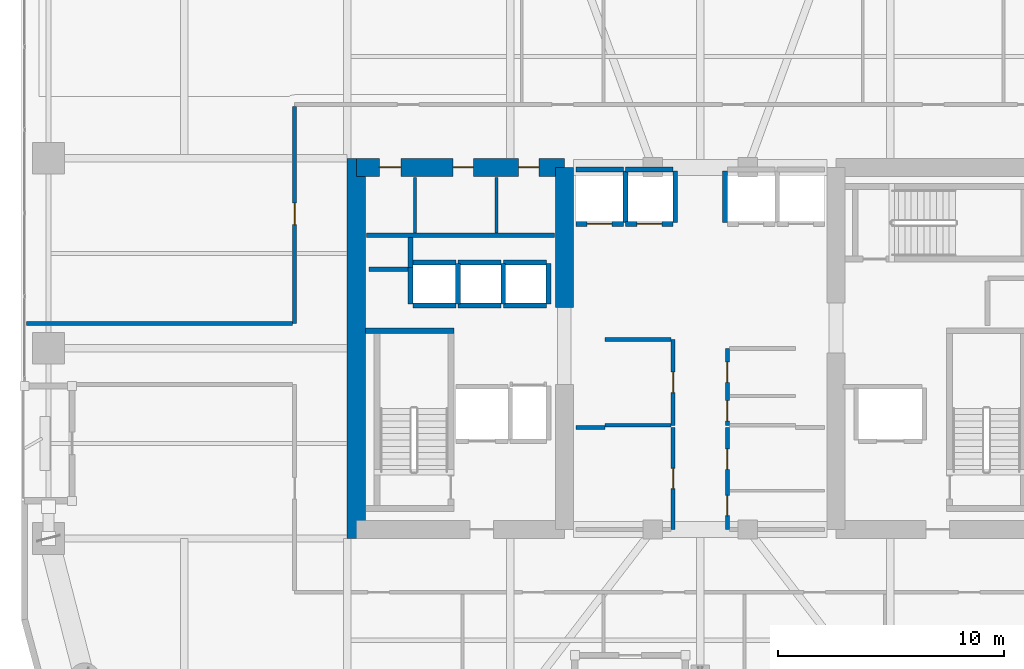
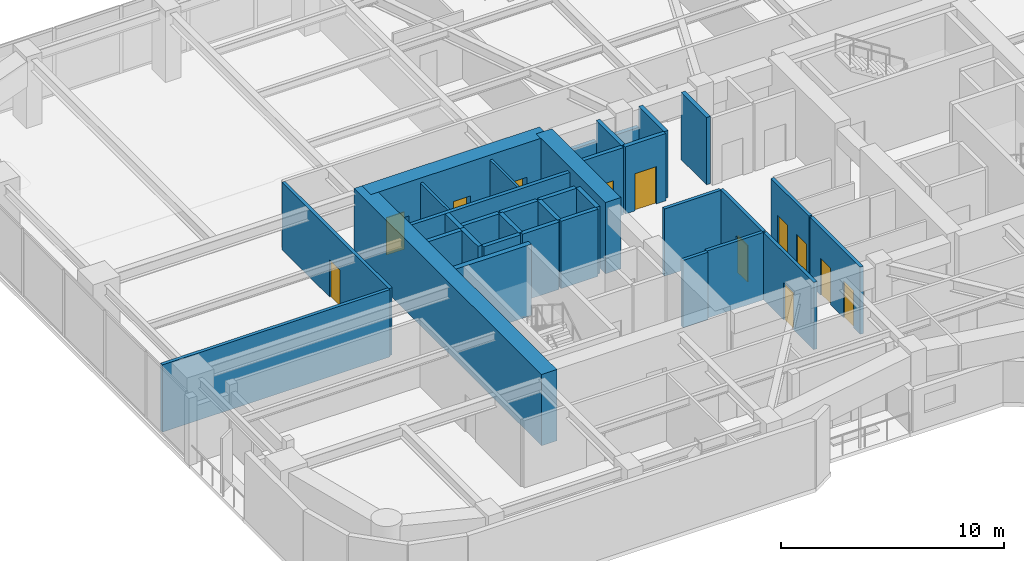
# One storey, part 25 of 30: 35 walls, 12 doors, 12 openings.
"""IFC4 building model written with IfcOpenShell, lengths in metres."""

from ifc_helpers import new_model, si_unit, direction, frame, frame_2d, origin, place, context, subcontext, project, spatial, rectangle, extrude, material, layer, layer_set, type_object, element, fill, save


model = new_model("IFC4")

# Units and contexts
model_context = context("Model", 3, precision=1e-05, world=origin(), true_north=direction((0.0, 1.0)))
body_context = subcontext(model_context, "Body", "Model", "MODEL_VIEW")
ifc_project = project(units=[si_unit("LENGTHUNIT", "METRE"), si_unit("AREAUNIT", "SQUARE_METRE"), si_unit("VOLUMEUNIT", "CUBIC_METRE"), si_unit("PLANEANGLEUNIT", "RADIAN"), si_unit("MASSUNIT", "GRAM", prefix="KILO")], contexts=[model_context])

# Site, building, storey
site_placement = place(None, origin())
site = spatial("IfcSite", under=ifc_project, at=site_placement, CompositionType="ELEMENT")
building_placement = place(site_placement, origin())
building = spatial("IfcBuilding", under=site, at=building_placement, Name="Kiyonajd Concourse Tower", CompositionType="ELEMENT")
storey_placement = place(building_placement, frame((0.0, 0.0, 154.5)))
storey = spatial("IfcBuildingStorey", under=building, at=storey_placement, Name="L39", CompositionType="ELEMENT", Elevation=154.5)

# Walls
ifc_material_1 = material(Name="Concrete C70/85", Category="concrete")
ifc_layer_1 = layer(ifc_material_1, 0.800048828125)
ifc_layer_set_1 = layer_set([ifc_layer_1], Name="Concrete C70/85")
wall_type_1 = type_object("IfcWallType", Name="WL-CORE-800", PredefinedType="SHEAR", material=ifc_layer_set_1)
wall_1_placement = place(storey_placement, frame((32.800048828125, 27.60009765625, 0.0), z_axis=(0.0, 0.0, 1.0), x_axis=(0.0, 1.0, 0.0)))
element("IfcWall", 1, at=wall_1_placement, inside=storey, type_object=wall_type_1, Name="L39 West Core Outer Shear Wall", PredefinedType="SHEAR", context=body_context, shape_type="SweptSolid", body=[
    extrude(rectangle(XDim=16.7998046875, YDim=0.800048828125, at=frame_2d((8.39990234375, 0.0))), origin(), (0.0, 0.0, 1.0), 3.89990234375),
])
wall_2_placement = place(storey_placement, frame((42.0, 37.800048828125, 0.0), z_axis=(0.0, 0.0, 1.0), x_axis=(0.0, 1.0, 0.0)))
element("IfcWall", 2, at=wall_2_placement, inside=storey, type_object=wall_type_1, Name="L39 West Core Inner North Shear Wall", PredefinedType="SHEAR", context=body_context, shape_type="SweptSolid", body=[
    extrude(rectangle(XDim=6.199951171875, YDim=0.800048828125, at=frame_2d((3.10009765625, 0.0))), origin(), (0.0, 0.0, 1.0), 3.89990234375),
])

# Wall, openings, doors
wall_3_placement = place(storey_placement, frame((32.800048828125, 44.0, 0.0), z_axis=(0.0, 0.0, 1.0), x_axis=(1.0, 0.0, 0.0)))
wall_3 = element("IfcWall", 3, at=wall_3_placement, inside=storey, type_object=wall_type_1, Name="L39 West Core North Shear Wall", PredefinedType="SHEAR", context=body_context, shape_type="SweptSolid", body=[
    extrude(rectangle(XDim=9.199951171875, YDim=0.800048828125, at=frame_2d((4.60009765625, 0.0))), origin(), (0.0, 0.0, 1.0), 3.89990234375),
])
opening_1_placement = place(wall_3_placement, frame((1.02490234375, 0.0, 0.0)))
opening_1 = element("IfcOpeningElement", 4, at=opening_1_placement, cuts=wall_3, Name="Opening DI1", PredefinedType="OPENING", context=body_context, shape_type="SweptSolid", body=[
    extrude(rectangle(XDim=0.949951171875, YDim=2.0400390625, at=frame_2d((0.47509765625, 1.02001953125))), frame((0.0, 0.409912109375, 0.0), z_axis=(0.0, -1.0, 0.0), x_axis=(1.0, 0.0, 0.0)), (0.0, 0.0, 1.0), 0.820068359375),
])
opening_2_placement = place(wall_3_placement, frame((4.27490234375, 0.0, 0.0)))
opening_2 = element("IfcOpeningElement", 5, at=opening_2_placement, cuts=wall_3, Name="Opening DI2", PredefinedType="OPENING", context=body_context, shape_type="SweptSolid", body=[
    extrude(rectangle(XDim=0.89990234375, YDim=2.02001953125, at=frame_2d((0.449951171875, 1.010009765625))), frame((0.0, 0.409912109375, 0.0), z_axis=(0.0, -1.0, 0.0), x_axis=(1.0, 0.0, 0.0)), (0.0, 0.0, 1.0), 0.820068359375),
])
opening_3_placement = place(wall_3_placement, frame((7.175048828125, 0.0, 0.0)))
opening_3 = element("IfcOpeningElement", 6, at=opening_3_placement, cuts=wall_3, Name="Opening DI2", PredefinedType="OPENING", context=body_context, shape_type="SweptSolid", body=[
    extrude(rectangle(XDim=0.89990234375, YDim=2.02001953125, at=frame_2d((0.449951171875, 1.010009765625))), frame((0.0, 0.409912109375, 0.0), z_axis=(0.0, -1.0, 0.0), x_axis=(1.0, 0.0, 0.0)), (0.0, 0.0, 1.0), 0.820068359375),
])
ifc_material_2 = material(Name="Natural Oak Acoustic Timber Veneer", Category="wood")
door_type_1 = type_object("IfcDoorType", Name="DR-INT-900", OperationType="NOTDEFINED", PredefinedType="DOOR", material=ifc_material_2)
door_1_placement = place(opening_2_placement, origin())
door_1 = element("IfcDoor", 7, at=door_1_placement, inside=storey, type_object=door_type_1, Name="L39 Male Restroom Door", OperationType="SINGLE_SWING_RIGHT", OverallHeight=2.02001953125, OverallWidth=0.89990234375, PredefinedType="DOOR", context=body_context, shape_type="SweptSolid", body=[
    extrude(rectangle(XDim=0.89990234375, YDim=2.02001953125, at=frame_2d((0.449951171875, 1.010009765625))), frame((0.0, 0.02490234375, 0.0), z_axis=(0.0, -1.0, 0.0), x_axis=(1.0, 0.0, 0.0)), (0.0, 0.0, 1.0), 0.050048828125),
])
fill(opening_2, door_1)
door_2_placement = place(opening_3_placement, origin())
door_2 = element("IfcDoor", 8, at=door_2_placement, inside=storey, type_object=door_type_1, Name="L39 Female Restroom Door", OperationType="SINGLE_SWING_LEFT", OverallHeight=2.02001953125, OverallWidth=0.89990234375, PredefinedType="DOOR", context=body_context, shape_type="SweptSolid", body=[
    extrude(rectangle(XDim=0.89990234375, YDim=2.02001953125, at=frame_2d((0.449951171875, 1.010009765625))), frame((0.0, 0.02490234375, 0.0), z_axis=(0.0, -1.0, 0.0), x_axis=(1.0, 0.0, 0.0)), (0.0, 0.0, 1.0), 0.050048828125),
])
fill(opening_3, door_2)
door_type_2 = type_object("IfcDoorType", Name="DR-INT-950", OperationType="NOTDEFINED", PredefinedType="DOOR", material=ifc_material_2)
door_3_placement = place(opening_1_placement, origin())
door_3 = element("IfcDoor", 9, at=door_3_placement, inside=storey, type_object=door_type_2, Name="L39 Single User Accessible WC Door", OperationType="SINGLE_SWING_LEFT", OverallHeight=2.0400390625, OverallWidth=0.949951171875, PredefinedType="DOOR", context=body_context, shape_type="SweptSolid", body=[
    extrude(rectangle(XDim=0.949951171875, YDim=2.0400390625, at=frame_2d((0.47509765625, 1.02001953125))), frame((0.0, 0.02490234375, 0.0), z_axis=(0.0, -1.0, 0.0), x_axis=(1.0, 0.0, 0.0)), (0.0, 0.0, 1.0), 0.050048828125),
])
fill(opening_1, door_3)

# Walls
ifc_material_3 = material(Name="Gypsum Board on Cold-Formed Steel Stud", Category="steel")
ifc_layer_2 = layer(ifc_material_3, 0.125)
ifc_layer_set_2 = layer_set([ifc_layer_2], Name="Gypsum Board on Cold-Formed Steel Stud")
wall_type_2 = type_object("IfcWallType", Name="WL-PART-125", PredefinedType="PARTITIONING", material=ifc_layer_set_2)
for number, where, z_axis, x_axis, name in (
    (10, (35.39990234375, 41.094970703125, 0.0), (0.0, 0.0, 1.0), (0.0, 1.0, 0.0), "L39 Interior Partition Wall"),
    (11, (39.0, 41.094970703125, 0.0), (0.0, 0.0, 1.0), (0.0, 1.0, 0.0), "L39 Interior Partition Wall"),
):
    element("IfcWall", number, at=place(storey_placement, frame(where, z_axis=z_axis, x_axis=x_axis)), inside=storey, type_object=wall_type_2, Name=name, PredefinedType="PARTITIONING", context=body_context, shape_type="SweptSolid", body=[
        extrude(rectangle(XDim=2.455078125, YDim=0.125, at=frame_2d((1.2275390625, 0.0))), origin(), (0.0, 0.0, 1.0), 3.679931640625),
    ])
ifc_layer_3 = layer(ifc_material_3, 0.18994140625)
ifc_layer_set_3 = layer_set([ifc_layer_3], Name="Gypsum Board on Cold-Formed Steel Stud")
wall_type_3 = type_object("IfcWallType", Name="WL-PLMB-190", PredefinedType="PLUMBINGWALL", material=ifc_layer_set_3)
wall_4_placement = place(storey_placement, frame((33.25, 41.0, 0.0), z_axis=(0.0, 0.0, 1.0), x_axis=(1.0, 0.0, 0.0)))
element("IfcWall", 12, at=wall_4_placement, inside=storey, type_object=wall_type_3, Name="L39 Interior Partition Wall", PredefinedType="PLUMBINGWALL", context=body_context, shape_type="SweptSolid", body=[
    extrude(rectangle(XDim=8.300048828125, YDim=0.18994140625, at=frame_2d((4.14990234375, 0.0))), origin(), (0.0, 0.0, 1.0), 3.679931640625),
])
ifc_layer_4 = layer(ifc_material_3, 0.2099609375)
ifc_layer_set_4 = layer_set([ifc_layer_4], Name="Gypsum Board on Cold-Formed Steel Stud")
wall_type_4 = type_object("IfcWallType", Name="WL-SHAFT-210", PredefinedType="PARTITIONING", material=ifc_layer_set_4)
wall_5_placement = place(storey_placement, frame((33.360107421875, 39.5, 0.0), z_axis=(0.0, 0.0, 1.0), x_axis=(1.0, 0.0, 0.0)))
element("IfcWall", 13, at=wall_5_placement, inside=storey, type_object=wall_type_4, Name="L39 Shaft Enclosure Wall", PredefinedType="PARTITIONING", context=body_context, shape_type="SweptSolid", body=[
    extrude(rectangle(XDim=1.85986328125, YDim=0.2099609375, at=frame_2d((0.929931640625, 0.0))), origin(), (0.0, 0.0, 1.0), 3.679931640625),
])
wall_6_placement = place(storey_placement, frame((35.199951171875, 39.580078125, 0.0), z_axis=(0.0, 0.0, 1.0), x_axis=(0.0, 1.0, 0.0)))
element("IfcWall", 14, at=wall_6_placement, inside=storey, type_object=wall_type_4, Name="L39 Shaft Enclosure Wall", PredefinedType="PARTITIONING", context=body_context, shape_type="SweptSolid", body=[
    extrude(rectangle(XDim=1.31982421875, YDim=0.2099609375, at=frame_2d((0.659912109375, 0.0))), origin(), (0.0, 0.0, 1.0), 3.679931640625),
])

# Wall, opening, door
wall_7_placement = place(storey_placement, frame((42.5, 41.5, 0.0), z_axis=(0.0, 0.0, 1.0), x_axis=(1.0, 0.0, 0.0)))
wall_7 = element("IfcWall", 15, at=wall_7_placement, inside=storey, type_object=wall_type_4, Name="L39 Shaft Enclosure Wall", PredefinedType="PARTITIONING", context=body_context, shape_type="SweptSolid", body=[
    extrude(rectangle(XDim=2.10009765625, YDim=0.2099609375, at=frame_2d((1.050048828125, 0.0))), origin(), (0.0, 0.0, 1.0), 3.679931640625),
])
opening_4_placement = place(wall_7_placement, frame((0.5, 0.0, 0.0)))
opening_4 = element("IfcOpeningElement", 16, at=opening_4_placement, cuts=wall_7, Name="Opening LD1", PredefinedType="OPENING", context=body_context, shape_type="SweptSolid", body=[
    extrude(rectangle(XDim=1.10009765625, YDim=2.0400390625, at=frame_2d((0.550048828125, 1.02001953125))), frame((0.0, 0.114990234375, 0.0), z_axis=(0.0, -1.0, 0.0), x_axis=(1.0, 0.0, 0.0)), (0.0, 0.0, 1.0), 0.22998046875),
])
ifc_material_4 = material(Name="Brushed Stainless Steel Cab Assembly", Category="steel")
door_type_3 = type_object("IfcDoorType", Name="DR-LD-1100", OperationType="DOUBLE_DOOR_SLIDING", PredefinedType="DOOR", material=ifc_material_4)
door_4_placement = place(opening_4_placement, origin())
door_4 = element("IfcDoor", 17, at=door_4_placement, inside=storey, type_object=door_type_3, Name="L39 Lift PL-M1 Sliding Landing Door", OperationType="DOUBLE_DOOR_SLIDING", OverallHeight=2.0400390625, OverallWidth=1.10009765625, PredefinedType="DOOR", context=body_context, shape_type="SweptSolid", body=[
    extrude(rectangle(XDim=1.10009765625, YDim=2.0400390625, at=frame_2d((0.550048828125, 1.02001953125))), frame((0.0, 0.02490234375, 0.0), z_axis=(0.0, -1.0, 0.0), x_axis=(1.0, 0.0, 0.0)), (0.0, 0.0, 1.0), 0.050048828125),
])
fill(opening_4, door_4)

# Walls
wall_8_placement = place(storey_placement, frame((42.5, 43.89990234375, 0.0), z_axis=(0.0, 0.0, 1.0), x_axis=(1.0, 0.0, 0.0)))
element("IfcWall", 18, at=wall_8_placement, inside=storey, type_object=wall_type_4, Name="L39 Shaft Enclosure Wall", PredefinedType="PARTITIONING", context=body_context, shape_type="SweptSolid", body=[
    extrude(rectangle(XDim=2.10009765625, YDim=0.2099609375, at=frame_2d((1.050048828125, 0.0))), origin(), (0.0, 0.0, 1.0), 2.56494140625),
])
wall_9_placement = place(storey_placement, frame((44.699951171875, 41.56005859375, 0.0), z_axis=(0.0, 0.0, 1.0), x_axis=(0.0, 1.0, 0.0)))
element("IfcWall", 19, at=wall_9_placement, inside=storey, type_object=wall_type_4, Name="L39 Shaft Enclosure Wall", PredefinedType="PARTITIONING", context=body_context, shape_type="SweptSolid", body=[
    extrude(rectangle(XDim=2.280029296875, YDim=0.2099609375, at=frame_2d((1.14013671875, 0.0))), origin(), (0.0, 0.0, 1.0), 3.679931640625),
])

# Wall, opening, door
wall_10_placement = place(storey_placement, frame((44.699951171875, 41.5, 0.0), z_axis=(0.0, 0.0, 1.0), x_axis=(1.0, 0.0, 0.0)))
wall_10 = element("IfcWall", 20, at=wall_10_placement, inside=storey, type_object=wall_type_4, Name="L39 Shaft Enclosure Wall", PredefinedType="PARTITIONING", context=body_context, shape_type="SweptSolid", body=[
    extrude(rectangle(XDim=2.10009765625, YDim=0.2099609375, at=frame_2d((1.050048828125, 0.0))), origin(), (0.0, 0.0, 1.0), 3.679931640625),
])
opening_5_placement = place(wall_10_placement, frame((0.5, 0.0, 0.0)))
opening_5 = element("IfcOpeningElement", 21, at=opening_5_placement, cuts=wall_10, Name="Opening LD1", PredefinedType="OPENING", context=body_context, shape_type="SweptSolid", body=[
    extrude(rectangle(XDim=1.10009765625, YDim=2.0400390625, at=frame_2d((0.550048828125, 1.02001953125))), frame((0.0, 0.114990234375, 0.0), z_axis=(0.0, -1.0, 0.0), x_axis=(1.0, 0.0, 0.0)), (0.0, 0.0, 1.0), 0.22998046875),
])
door_5_placement = place(opening_5_placement, origin())
door_5 = element("IfcDoor", 22, at=door_5_placement, inside=storey, type_object=door_type_3, Name="L39 Lift PL-M2 Sliding Landing Door", OperationType="DOUBLE_DOOR_SLIDING", OverallHeight=2.0400390625, OverallWidth=1.10009765625, PredefinedType="DOOR", context=body_context, shape_type="SweptSolid", body=[
    extrude(rectangle(XDim=1.10009765625, YDim=2.0400390625, at=frame_2d((0.550048828125, 1.02001953125))), frame((0.0, 0.02490234375, 0.0), z_axis=(0.0, -1.0, 0.0), x_axis=(1.0, 0.0, 0.0)), (0.0, 0.0, 1.0), 0.050048828125),
])
fill(opening_5, door_5)

# Walls
wall_11_placement = place(storey_placement, frame((44.699951171875, 43.89990234375, 0.0), z_axis=(0.0, 0.0, 1.0), x_axis=(1.0, 0.0, 0.0)))
element("IfcWall", 23, at=wall_11_placement, inside=storey, type_object=wall_type_4, Name="L39 Shaft Enclosure Wall", PredefinedType="PARTITIONING", context=body_context, shape_type="SweptSolid", body=[
    extrude(rectangle(XDim=2.10009765625, YDim=0.2099609375, at=frame_2d((1.050048828125, 0.0))), origin(), (0.0, 0.0, 1.0), 2.56494140625),
])
for number, where, z_axis, x_axis, name in (
    (24, (46.89990234375, 41.56005859375, 0.0), (0.0, 0.0, 1.0), (0.0, 1.0, 0.0), "L39 Shaft Enclosure Wall"),
    (25, (49.10009765625, 41.56005859375, 0.0), (0.0, 0.0, 1.0), (0.0, 1.0, 0.0), "L39 Shaft Enclosure Wall"),
):
    element("IfcWall", number, at=place(storey_placement, frame(where, z_axis=z_axis, x_axis=x_axis)), inside=storey, type_object=wall_type_4, Name=name, PredefinedType="PARTITIONING", context=body_context, shape_type="SweptSolid", body=[
        extrude(rectangle(XDim=2.280029296875, YDim=0.2099609375, at=frame_2d((1.14013671875, 0.0))), origin(), (0.0, 0.0, 1.0), 3.679931640625),
    ])
for number, where, z_axis, x_axis, name in (
    (26, (35.300048828125, 37.89990234375, 0.0), (0.0, 0.0, 1.0), (1.0, 0.0, 0.0), "L39 Shaft Enclosure Wall"),
    (27, (35.300048828125, 39.800048828125, 0.0), (0.0, 0.0, 1.0), (1.0, 0.0, 0.0), "L39 Shaft Enclosure Wall"),
):
    element("IfcWall", number, at=place(storey_placement, frame(where, z_axis=z_axis, x_axis=x_axis)), inside=storey, type_object=wall_type_4, Name=name, PredefinedType="PARTITIONING", context=body_context, shape_type="SweptSolid", body=[
        extrude(rectangle(XDim=1.89990234375, YDim=0.2099609375, at=frame_2d((0.949951171875, 0.0))), origin(), (0.0, 0.0, 1.0), 3.679931640625),
    ])
wall_12_placement = place(storey_placement, frame((35.199951171875, 37.9599609375, 0.0), z_axis=(0.0, 0.0, 1.0), x_axis=(0.0, 1.0, 0.0)))
element("IfcWall", 28, at=wall_12_placement, inside=storey, type_object=wall_type_4, Name="L39 Shaft Enclosure Wall", PredefinedType="PARTITIONING", context=body_context, shape_type="SweptSolid", body=[
    extrude(rectangle(XDim=1.6201171875, YDim=0.2099609375, at=frame_2d((0.81005859375, 0.0))), origin(), (0.0, 0.0, 1.0), 3.679931640625),
])
wall_13_placement = place(storey_placement, frame((37.300048828125, 37.9599609375, 0.0), z_axis=(0.0, 0.0, 1.0), x_axis=(0.0, 1.0, 0.0)))
element("IfcWall", 29, at=wall_13_placement, inside=storey, type_object=wall_type_4, Name="L39 Shaft Enclosure Wall", PredefinedType="PARTITIONING", context=body_context, shape_type="SweptSolid", body=[
    extrude(rectangle(XDim=1.780029296875, YDim=0.2099609375, at=frame_2d((0.89013671875, 0.0))), origin(), (0.0, 0.0, 1.0), 3.679931640625),
])
for number, where, z_axis, x_axis, name in (
    (30, (37.300048828125, 37.89990234375, 0.0), (0.0, 0.0, 1.0), (1.0, 0.0, 0.0), "L39 Shaft Enclosure Wall"),
    (31, (37.300048828125, 39.800048828125, 0.0), (0.0, 0.0, 1.0), (1.0, 0.0, 0.0), "L39 Shaft Enclosure Wall"),
):
    element("IfcWall", number, at=place(storey_placement, frame(where, z_axis=z_axis, x_axis=x_axis)), inside=storey, type_object=wall_type_4, Name=name, PredefinedType="PARTITIONING", context=body_context, shape_type="SweptSolid", body=[
        extrude(rectangle(XDim=1.89990234375, YDim=0.2099609375, at=frame_2d((0.949951171875, 0.0))), origin(), (0.0, 0.0, 1.0), 3.679931640625),
    ])
wall_14_placement = place(storey_placement, frame((39.300048828125, 37.9599609375, 0.0), z_axis=(0.0, 0.0, 1.0), x_axis=(0.0, 1.0, 0.0)))
element("IfcWall", 32, at=wall_14_placement, inside=storey, type_object=wall_type_4, Name="L39 Shaft Enclosure Wall", PredefinedType="PARTITIONING", context=body_context, shape_type="SweptSolid", body=[
    extrude(rectangle(XDim=1.780029296875, YDim=0.2099609375, at=frame_2d((0.89013671875, 0.0))), origin(), (0.0, 0.0, 1.0), 3.679931640625),
])
for number, where, z_axis, x_axis, name in (
    (33, (39.300048828125, 37.89990234375, 0.0), (0.0, 0.0, 1.0), (1.0, 0.0, 0.0), "L39 Shaft Enclosure Wall"),
    (34, (39.300048828125, 39.800048828125, 0.0), (0.0, 0.0, 1.0), (1.0, 0.0, 0.0), "L39 Shaft Enclosure Wall"),
):
    element("IfcWall", number, at=place(storey_placement, frame(where, z_axis=z_axis, x_axis=x_axis)), inside=storey, type_object=wall_type_4, Name=name, PredefinedType="PARTITIONING", context=body_context, shape_type="SweptSolid", body=[
        extrude(rectangle(XDim=1.89990234375, YDim=0.2099609375, at=frame_2d((0.949951171875, 0.0))), origin(), (0.0, 0.0, 1.0), 3.679931640625),
    ])
wall_15_placement = place(storey_placement, frame((41.300048828125, 37.9599609375, 0.0), z_axis=(0.0, 0.0, 1.0), x_axis=(0.0, 1.0, 0.0)))
element("IfcWall", 35, at=wall_15_placement, inside=storey, type_object=wall_type_4, Name="L39 Shaft Enclosure Wall", PredefinedType="PARTITIONING", context=body_context, shape_type="SweptSolid", body=[
    extrude(rectangle(XDim=1.780029296875, YDim=0.2099609375, at=frame_2d((0.89013671875, 0.0))), origin(), (0.0, 0.0, 1.0), 3.679931640625),
])

# Wall, opening, door
ifc_layer_5 = layer(ifc_material_3, 0.169921875)
ifc_layer_set_5 = layer_set([ifc_layer_5], Name="Gypsum Board on Cold-Formed Steel Stud")
wall_type_5 = type_object("IfcWallType", Name="WL-SMK-170", PredefinedType="PARTITIONING", material=ifc_layer_set_5)
wall_16_placement = place(storey_placement, frame((46.800048828125, 32.60009765625, 0.0), z_axis=(0.0, 0.0, 1.0), x_axis=(0.0, 1.0, 0.0)))
wall_16 = element("IfcWall", 36, at=wall_16_placement, inside=storey, type_object=wall_type_5, Name="L39 Interior Partition Wall", PredefinedType="PARTITIONING", context=body_context, shape_type="SweptSolid", body=[
    extrude(rectangle(XDim=3.7998046875, YDim=0.169921875, at=frame_2d((1.89990234375, 0.0))), origin(), (0.0, 0.0, 1.0), 3.679931640625),
])
opening_6_placement = place(wall_16_placement, frame((1.449951171875, 0.0, 0.0)))
opening_6 = element("IfcOpeningElement", 37, at=opening_6_placement, cuts=wall_16, Name="Opening DI2", PredefinedType="OPENING", context=body_context, shape_type="SweptSolid", body=[
    extrude(rectangle(XDim=0.89990234375, YDim=2.02001953125, at=frame_2d((0.449951171875, 1.010009765625))), frame((0.0, 0.094970703125, 0.0), z_axis=(0.0, -1.0, 0.0), x_axis=(1.0, 0.0, 0.0)), (0.0, 0.0, 1.0), 0.18994140625),
])
door_6_placement = place(opening_6_placement, origin())
door_6 = element("IfcDoor", 38, at=door_6_placement, inside=storey, type_object=door_type_1, Name="L39 Interior Door", OperationType="SINGLE_SWING_LEFT", OverallHeight=2.02001953125, OverallWidth=0.89990234375, PredefinedType="DOOR", context=body_context, shape_type="SweptSolid", body=[
    extrude(rectangle(XDim=0.89990234375, YDim=2.02001953125, at=frame_2d((0.449951171875, 1.010009765625))), frame((0.0, 0.02490234375, 0.0), z_axis=(0.0, -1.0, 0.0), x_axis=(1.0, 0.0, 0.0)), (0.0, 0.0, 1.0), 0.050048828125),
])
fill(opening_6, door_6)

# Walls
for number, where, z_axis, x_axis, name in (
    (39, (43.800048828125, 32.60009765625, 0.0), (0.0, 0.0, 1.0), (1.0, 0.0, 0.0), "L39 Interior Partition Wall"),
    (40, (43.800048828125, 36.39990234375, 0.0), (0.0, 0.0, 1.0), (1.0, 0.0, 0.0), "L39 Interior Partition Wall"),
):
    element("IfcWall", number, at=place(storey_placement, frame(where, z_axis=z_axis, x_axis=x_axis)), inside=storey, type_object=wall_type_5, Name=name, PredefinedType="PARTITIONING", context=body_context, shape_type="SweptSolid", body=[
        extrude(rectangle(XDim=2.912841796875, YDim=0.169921875, at=frame_2d((1.45654296875, 0.0))), origin(), (0.0, 0.0, 1.0), 3.679931640625),
    ])

# Wall, openings, doors
wall_17_placement = place(storey_placement, frame((49.199951171875, 32.60009765625, 0.0), z_axis=(0.0, 0.0, 1.0), x_axis=(0.0, 1.0, 0.0)))
wall_17 = element("IfcWall", 41, at=wall_17_placement, inside=storey, type_object=wall_type_5, Name="L39 Interior Partition Wall", PredefinedType="PARTITIONING", context=body_context, shape_type="SweptSolid", body=[
    extrude(rectangle(XDim=3.39990234375, YDim=0.169921875, at=frame_2d((1.699951171875, 0.0))), origin(), (0.0, 0.0, 1.0), 3.679931640625),
])
opening_7_placement = place(wall_17_placement, frame((0.196044921875, 0.0, 0.0)))
opening_7 = element("IfcOpeningElement", 42, at=opening_7_placement, cuts=wall_17, Name="Opening DI2", PredefinedType="OPENING", context=body_context, shape_type="SweptSolid", body=[
    extrude(rectangle(XDim=0.89990234375, YDim=2.02001953125, at=frame_2d((0.449951171875, 1.010009765625))), frame((0.0, 0.094970703125, 0.0), z_axis=(0.0, -1.0, 0.0), x_axis=(1.0, 0.0, 0.0)), (0.0, 0.0, 1.0), 0.18994140625),
])
opening_8_placement = place(wall_17_placement, frame((1.89599609375, 0.0, 0.0)))
opening_8 = element("IfcOpeningElement", 43, at=opening_8_placement, cuts=wall_17, Name="Opening DI2", PredefinedType="OPENING", context=body_context, shape_type="SweptSolid", body=[
    extrude(rectangle(XDim=0.89990234375, YDim=2.02001953125, at=frame_2d((0.449951171875, 1.010009765625))), frame((0.0, 0.094970703125, 0.0), z_axis=(0.0, -1.0, 0.0), x_axis=(1.0, 0.0, 0.0)), (0.0, 0.0, 1.0), 0.18994140625),
])
door_7_placement = place(opening_7_placement, origin())
door_7 = element("IfcDoor", 44, at=door_7_placement, inside=storey, type_object=door_type_1, Name="L39 Interior Door", OperationType="SINGLE_SWING_RIGHT", OverallHeight=2.02001953125, OverallWidth=0.89990234375, PredefinedType="DOOR", context=body_context, shape_type="SweptSolid", body=[
    extrude(rectangle(XDim=0.89990234375, YDim=2.02001953125, at=frame_2d((0.449951171875, 1.010009765625))), frame((0.0, 0.02490234375, 0.0), z_axis=(0.0, -1.0, 0.0), x_axis=(1.0, 0.0, 0.0)), (0.0, 0.0, 1.0), 0.050048828125),
])
fill(opening_7, door_7)
door_8_placement = place(opening_8_placement, origin())
door_8 = element("IfcDoor", 45, at=door_8_placement, inside=storey, type_object=door_type_1, Name="L39 Interior Door", OperationType="SINGLE_SWING_LEFT", OverallHeight=2.02001953125, OverallWidth=0.89990234375, PredefinedType="DOOR", context=body_context, shape_type="SweptSolid", body=[
    extrude(rectangle(XDim=0.89990234375, YDim=2.02001953125, at=frame_2d((0.449951171875, 1.010009765625))), frame((0.0, 0.02490234375, 0.0), z_axis=(0.0, -1.0, 0.0), x_axis=(1.0, 0.0, 0.0)), (0.0, 0.0, 1.0), 0.050048828125),
])
fill(opening_8, door_8)

# Wall, opening, door
wall_18_placement = place(storey_placement, frame((46.800048828125, 28.0, 0.0), z_axis=(0.0, 0.0, 1.0), x_axis=(0.0, 1.0, 0.0)))
wall_18 = element("IfcWall", 46, at=wall_18_placement, inside=storey, type_object=wall_type_5, Name="L39 Interior Partition Wall", PredefinedType="PARTITIONING", context=body_context, shape_type="SweptSolid", body=[
    extrude(rectangle(XDim=4.5, YDim=0.169921875, at=frame_2d((2.25, 0.0))), origin(), (0.0, 0.0, 1.0), 3.679931640625),
])
opening_9_placement = place(wall_18_placement, frame((1.800048828125, 0.0, 0.0)))
opening_9 = element("IfcOpeningElement", 47, at=opening_9_placement, cuts=wall_18, Name="Opening DI2", PredefinedType="OPENING", context=body_context, shape_type="SweptSolid", body=[
    extrude(rectangle(XDim=0.89990234375, YDim=2.02001953125, at=frame_2d((0.449951171875, 1.010009765625))), frame((0.0, 0.094970703125, 0.0), z_axis=(0.0, -1.0, 0.0), x_axis=(1.0, 0.0, 0.0)), (0.0, 0.0, 1.0), 0.18994140625),
])
door_9_placement = place(opening_9_placement, origin())
door_9 = element("IfcDoor", 48, at=door_9_placement, inside=storey, type_object=door_type_1, Name="L39 Interior Door", OperationType="SINGLE_SWING_RIGHT", OverallHeight=2.02001953125, OverallWidth=0.89990234375, PredefinedType="DOOR", context=body_context, shape_type="SweptSolid", body=[
    extrude(rectangle(XDim=0.89990234375, YDim=2.02001953125, at=frame_2d((0.449951171875, 1.010009765625))), frame((0.0, 0.02490234375, 0.0), z_axis=(0.0, -1.0, 0.0), x_axis=(1.0, 0.0, 0.0)), (0.0, 0.0, 1.0), 0.050048828125),
])
fill(opening_9, door_9)

# Wall
wall_19_placement = place(storey_placement, frame((42.5, 32.5, 0.0), z_axis=(0.0, 0.0, 1.0), x_axis=(1.0, 0.0, 0.0)))
element("IfcWall", 49, at=wall_19_placement, inside=storey, type_object=wall_type_5, Name="L39 Interior Partition Wall", PredefinedType="PARTITIONING", context=body_context, shape_type="SweptSolid", body=[
    extrude(rectangle(XDim=1.300048828125, YDim=0.169921875, at=frame_2d((0.64990234375, 0.0))), origin(), (0.0, 0.0, 1.0), 3.679931640625),
])

# Wall, openings, doors
wall_20_placement = place(storey_placement, frame((49.199951171875, 28.0, 0.0), z_axis=(0.0, 0.0, 1.0), x_axis=(0.0, 1.0, 0.0)))
wall_20 = element("IfcWall", 50, at=wall_20_placement, inside=storey, type_object=wall_type_5, Name="L39 Interior Partition Wall", PredefinedType="PARTITIONING", context=body_context, shape_type="SweptSolid", body=[
    extrude(rectangle(XDim=4.5, YDim=0.169921875, at=frame_2d((2.25, 0.0))), origin(), (0.0, 0.0, 1.0), 3.679931640625),
])
opening_10_placement = place(wall_20_placement, frame((0.60498046875, 0.0, 0.0)))
opening_10 = element("IfcOpeningElement", 51, at=opening_10_placement, cuts=wall_20, Name="Opening DI2", PredefinedType="OPENING", context=body_context, shape_type="SweptSolid", body=[
    extrude(rectangle(XDim=0.89990234375, YDim=2.02001953125, at=frame_2d((0.449951171875, 1.010009765625))), frame((0.0, 0.094970703125, 0.0), z_axis=(0.0, -1.0, 0.0), x_axis=(1.0, 0.0, 0.0)), (0.0, 0.0, 1.0), 0.18994140625),
])
opening_11_placement = place(wall_20_placement, frame((2.655029296875, 0.0, 0.0)))
opening_11 = element("IfcOpeningElement", 52, at=opening_11_placement, cuts=wall_20, Name="Opening DI2", PredefinedType="OPENING", context=body_context, shape_type="SweptSolid", body=[
    extrude(rectangle(XDim=0.89990234375, YDim=2.02001953125, at=frame_2d((0.449951171875, 1.010009765625))), frame((0.0, 0.094970703125, 0.0), z_axis=(0.0, -1.0, 0.0), x_axis=(1.0, 0.0, 0.0)), (0.0, 0.0, 1.0), 0.18994140625),
])
door_10_placement = place(opening_10_placement, origin())
door_10 = element("IfcDoor", 53, at=door_10_placement, inside=storey, type_object=door_type_1, Name="L39 Interior Door", OperationType="SINGLE_SWING_LEFT", OverallHeight=2.02001953125, OverallWidth=0.89990234375, PredefinedType="DOOR", context=body_context, shape_type="SweptSolid", body=[
    extrude(rectangle(XDim=0.89990234375, YDim=2.02001953125, at=frame_2d((0.449951171875, 1.010009765625))), frame((0.0, 0.02490234375, 0.0), z_axis=(0.0, -1.0, 0.0), x_axis=(1.0, 0.0, 0.0)), (0.0, 0.0, 1.0), 0.050048828125),
])
fill(opening_10, door_10)
door_11_placement = place(opening_11_placement, origin())
door_11 = element("IfcDoor", 54, at=door_11_placement, inside=storey, type_object=door_type_1, Name="L39 Interior Door", OperationType="SINGLE_SWING_RIGHT", OverallHeight=2.02001953125, OverallWidth=0.89990234375, PredefinedType="DOOR", context=body_context, shape_type="SweptSolid", body=[
    extrude(rectangle(XDim=0.89990234375, YDim=2.02001953125, at=frame_2d((0.449951171875, 1.010009765625))), frame((0.0, 0.02490234375, 0.0), z_axis=(0.0, -1.0, 0.0), x_axis=(1.0, 0.0, 0.0)), (0.0, 0.0, 1.0), 0.050048828125),
])
fill(opening_11, door_11)

# Wall, opening, door
wall_21_placement = place(storey_placement, frame((30.074951171875, 37.10009765625, 0.0), z_axis=(0.0, 0.0, 1.0), x_axis=(0.0, 1.0, 0.0)))
wall_21 = element("IfcWall", 55, at=wall_21_placement, inside=storey, type_object=wall_type_5, Name="L39 Interior Partition Wall", PredefinedType="PARTITIONING", context=body_context, shape_type="SweptSolid", body=[
    extrude(rectangle(XDim=9.593017578125, YDim=0.169921875, at=frame_2d((4.79638671875, 0.0))), origin(), (0.0, 0.0, 1.0), 3.679931640625),
])
opening_12_placement = place(wall_21_placement, frame((4.364990234375, 0.0, 0.0)))
opening_12 = element("IfcOpeningElement", 56, at=opening_12_placement, cuts=wall_21, Name="Opening DI1", PredefinedType="OPENING", context=body_context, shape_type="SweptSolid", body=[
    extrude(rectangle(XDim=0.949951171875, YDim=2.0400390625, at=frame_2d((0.47509765625, 1.02001953125))), frame((0.0, 0.094970703125, 0.0), z_axis=(0.0, -1.0, 0.0), x_axis=(1.0, 0.0, 0.0)), (0.0, 0.0, 1.0), 0.18994140625),
])
door_12_placement = place(opening_12_placement, origin())
door_12 = element("IfcDoor", 57, at=door_12_placement, inside=storey, type_object=door_type_2, Name="L39 Interior Door", OperationType="SINGLE_SWING_RIGHT", OverallHeight=2.0400390625, OverallWidth=0.949951171875, PredefinedType="DOOR", context=body_context, shape_type="SweptSolid", body=[
    extrude(rectangle(XDim=0.949951171875, YDim=2.0400390625, at=frame_2d((0.47509765625, 1.02001953125))), frame((0.0, 0.02490234375, 0.0), z_axis=(0.0, -1.0, 0.0), x_axis=(1.0, 0.0, 0.0)), (0.0, 0.0, 1.0), 0.050048828125),
])
fill(opening_12, door_12)

# Walls
wall_22_placement = place(storey_placement, frame((18.22509765625, 37.10009765625, 0.0), z_axis=(0.0, 0.0, 1.0), x_axis=(1.0, 0.0, 0.0)))
element("IfcWall", 58, at=wall_22_placement, inside=storey, type_object=wall_type_5, Name="L39 Interior Partition Wall", PredefinedType="PARTITIONING", context=body_context, shape_type="SweptSolid", body=[
    extrude(rectangle(XDim=11.762939453125, YDim=0.169921875, at=frame_2d((5.88134765625, 0.0))), origin(), (0.0, 0.0, 1.0), 3.679931640625),
])
ifc_material_5 = material(Name="Concrete C50/60", Category="concrete")
ifc_layer_6 = layer(ifc_material_5, 0.260009765625)
ifc_layer_set_6 = layer_set([ifc_layer_6], Name="Concrete C50/60")
wall_type_6 = type_object("IfcWallType", Name="WL-STAIR-260", PredefinedType="SHEAR", material=ifc_layer_set_6)
wall_23_placement = place(storey_placement, frame((33.199951171875, 36.780029296875, 0.0), z_axis=(0.0, 0.0, 1.0), x_axis=(1.0, 0.0, 0.0)))
element("IfcWall", 59, at=wall_23_placement, inside=storey, type_object=wall_type_6, Name="L39 Stair ST1 Structural North Wall", PredefinedType="SHEAR", context=body_context, shape_type="SweptSolid", body=[
    extrude(rectangle(XDim=3.91015625, YDim=0.260009765625, at=frame_2d((1.955078125, 0.0))), origin(), (0.0, 0.0, 1.0), 3.89990234375),
])

save(model, "model.ifc")
